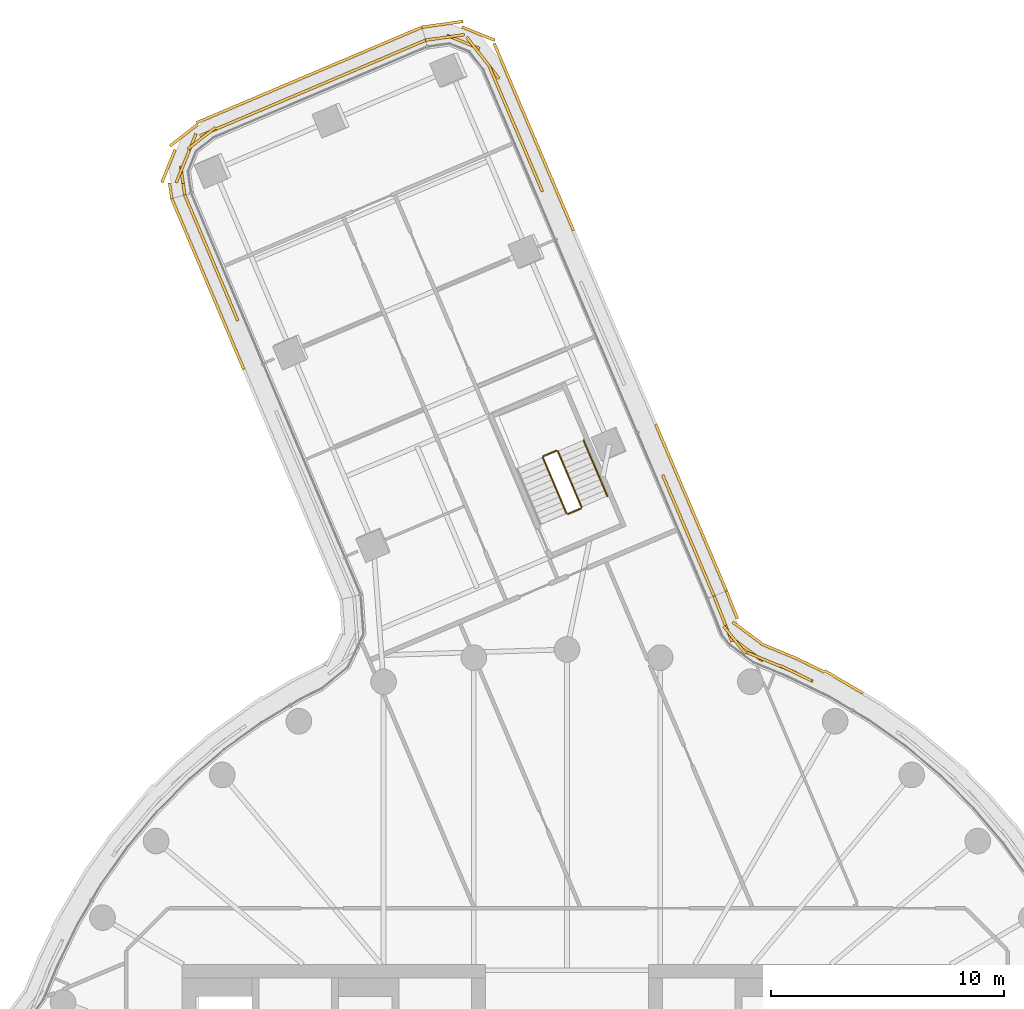
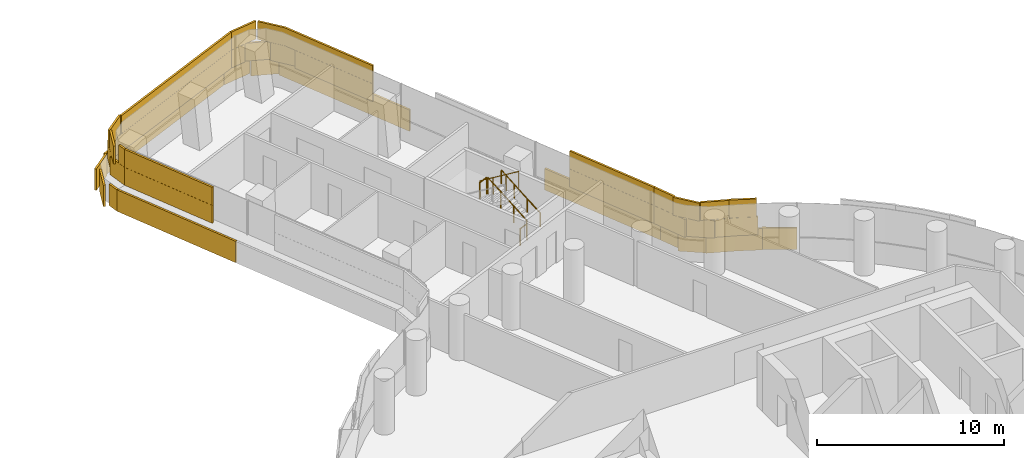
# One storey, part 34 of 35: 5 coverings, 5 railings.
"""IFC4 building model written with IfcOpenShell, lengths in metres."""

from ifc_helpers import new_model, si_unit, direction, frame, origin, origin_2d, place, context, subcontext, project, spatial, rectangle, circle, extrude, material, layer, layer_set, type_object, element, save


model = new_model("IFC4")

# Units and contexts
model_context = context("Model", 3, precision=1e-05, world=origin(), true_north=direction((0.0, 1.0)))
body_context = subcontext(model_context, "Body", "Model", "MODEL_VIEW")
ifc_project = project(units=[si_unit("LENGTHUNIT", "METRE"), si_unit("AREAUNIT", "SQUARE_METRE"), si_unit("VOLUMEUNIT", "CUBIC_METRE"), si_unit("PLANEANGLEUNIT", "RADIAN"), si_unit("MASSUNIT", "GRAM", prefix="KILO")], contexts=[model_context])

# Site, building, storey
site_placement = place(None, origin())
site = spatial("IfcSite", under=ifc_project, at=site_placement, CompositionType="ELEMENT")
building_placement = place(site_placement, origin())
building = spatial("IfcBuilding", under=site, at=building_placement, Name="Tamarind Cross Interchange Tower", CompositionType="ELEMENT")
storey_placement = place(building_placement, frame((0.0, 0.0, 117.25)))
storey = spatial("IfcBuildingStorey", under=building, at=storey_placement, Name="L28", CompositionType="ELEMENT", Elevation=117.25)

# Railings
ifc_material_1 = material(Name="Stair guard")
railing_type_1 = type_object("IfcRailingType", Name="Stair guard", PredefinedType="GUARDRAIL", material=ifc_material_1)
railing_1_placement = place(storey_placement, frame((0.623779296875, 29.10791015625, 0.17041015625)))
element("IfcRailing", 1, at=railing_1_placement, inside=storey, type_object=railing_type_1, Name="L28 ST4 stair guard 1", PredefinedType="GUARDRAIL", context=body_context, shape_type="SweptSolid", body=[
    extrude(circle(Radius=0.02392578125, at=origin_2d()), frame((0.0, 0.0, 1.076171875), z_axis=(-0.326526452463, 0.769905084162, 0.548294298003), x_axis=(-0.920624745135, -0.390448560819, 0.0)), (0.0, 0.0, 1.0), 3.10888671875),
    extrude(circle(Radius=0.02099609375, at=origin_2d()), origin(), (0.0, 0.0, 1.0), 1.052001953125),
    extrude(circle(Radius=0.02099609375, at=origin_2d()), frame((-0.33837890625, 0.7978515625, 0.568115234375)), (0.0, 0.0, 1.0), 1.052001953125),
    extrude(circle(Radius=0.02099609375, at=origin_2d()), frame((-0.6767578125, 1.595703125, 1.136474609375)), (0.0, 0.0, 1.0), 1.052001953125),
    extrude(circle(Radius=0.02099609375, at=origin_2d()), frame((-1.01513671875, 2.3935546875, 1.70458984375)), (0.0, 0.0, 1.0), 1.052001953125),
])
railing_2_placement = place(storey_placement, frame((-0.45703125, 31.528076171875, 1.875)))
element("IfcRailing", 2, at=railing_2_placement, inside=storey, type_object=railing_type_1, Name="L28 ST4 stair guard 2", PredefinedType="GUARDRAIL", context=body_context, shape_type="SweptSolid", body=[
    extrude(circle(Radius=0.02392578125, at=origin_2d()), frame((0.0, 0.0, 1.076171875), z_axis=(-0.920528568532, -0.390675254549, 0.0), x_axis=(0.390675254549, -0.920528568532, 0.0)), (0.0, 0.0, 1.0), 0.599853515625),
    extrude(circle(Radius=0.02099609375, at=origin_2d()), origin(), (0.0, 0.0, 1.0), 1.052001953125),
    extrude(circle(Radius=0.02099609375, at=origin_2d()), frame((-0.55224609375, -0.234375, 0.0)), (0.0, 0.0, 1.0), 1.052001953125),
])
railing_3_placement = place(storey_placement, frame((-1.035888671875, 31.228271484375, 2.04541015625)))
element("IfcRailing", 3, at=railing_3_placement, inside=storey, type_object=railing_type_1, Name="L28 ST4 stair guard 3", PredefinedType="GUARDRAIL", context=body_context, shape_type="SweptSolid", body=[
    extrude(circle(Radius=0.02392578125, at=origin_2d()), frame((0.0, 0.0, 1.076171875), z_axis=(0.326596606657, -0.769885340625, 0.548280237479), x_axis=(0.920590988888, 0.390528143899, 0.0)), (0.0, 0.0, 1.0), 3.10888671875),
    extrude(circle(Radius=0.02099609375, at=origin_2d()), origin(), (0.0, 0.0, 1.0), 1.052001953125),
    extrude(circle(Radius=0.02099609375, at=origin_2d()), frame((0.33837890625, -0.7978515625, 0.568115234375)), (0.0, 0.0, 1.0), 1.052001953125),
    extrude(circle(Radius=0.02099609375, at=origin_2d()), frame((0.677001953125, -1.595703125, 1.136474609375)), (0.0, 0.0, 1.0), 1.052001953125),
    extrude(circle(Radius=0.02099609375, at=origin_2d()), frame((1.015380859375, -2.3935546875, 1.70458984375)), (0.0, 0.0, 1.0), 1.052001953125),
])
railing_4_placement = place(storey_placement, frame((0.597412109375, 29.04248046875, 0.0)))
element("IfcRailing", 4, at=railing_4_placement, inside=storey, type_object=railing_type_1, Name="L28 ST4 stair guard 4", PredefinedType="GUARDRAIL", context=body_context, shape_type="SweptSolid", body=[
    extrude(circle(Radius=0.02392578125, at=origin_2d()), frame((0.0, 0.0, 1.076171875), z_axis=(-0.920590645784, -0.390528952697, 0.0), x_axis=(0.390528952697, -0.920590645784, 0.0)), (0.0, 0.0, 1.0), 0.60009765625),
    extrude(circle(Radius=0.02099609375, at=origin_2d()), origin(), (0.0, 0.0, 1.0), 1.052001953125),
    extrude(circle(Radius=0.02099609375, at=origin_2d()), frame((-0.552490234375, -0.234375, 0.0)), (0.0, 0.0, 1.0), 1.052001953125),
])
ifc_material_2 = material(Name="Stair handrail")
railing_type_2 = type_object("IfcRailingType", Name="Stair handrail", PredefinedType="HANDRAIL", material=ifc_material_2)
railing_5_placement = place(storey_placement, frame((1.728515625, 29.57666015625, 0.17041015625)))
element("IfcRailing", 5, at=railing_5_placement, inside=storey, type_object=railing_type_2, Name="L28 ST4 stair handrail 1", PredefinedType="HANDRAIL", context=body_context, shape_type="SweptSolid", body=[
    extrude(circle(Radius=0.02392578125, at=origin_2d()), frame((0.0, 0.0, 0.8759765625), z_axis=(-0.326526452463, 0.769905084162, 0.548294298003), x_axis=(-0.920624745135, -0.390448560819, 0.0)), (0.0, 0.0, 1.0), 3.10888671875),
    extrude(circle(Radius=0.02099609375, at=origin_2d()), origin(), (0.0, 0.0, 1.0), 0.851806640625),
    extrude(circle(Radius=0.02099609375, at=origin_2d()), frame((-0.33837890625, 0.7978515625, 0.568115234375)), (0.0, 0.0, 1.0), 0.851806640625),
    extrude(circle(Radius=0.02099609375, at=origin_2d()), frame((-0.6767578125, 1.595703125, 1.136474609375)), (0.0, 0.0, 1.0), 0.851806640625),
    extrude(circle(Radius=0.02099609375, at=origin_2d()), frame((-1.01513671875, 2.3935546875, 1.70458984375)), (0.0, 0.0, 1.0), 0.851806640625),
])

# Coverings
ifc_material_3 = material(Name="Terracotta", Category="masonry")
ifc_layer = layer(ifc_material_3, 0.1201171875)
ifc_layer_set = layer_set([ifc_layer], Name="Terracotta")
covering_type = type_object("IfcCoveringType", Name="Terracotta baguette screen unit", PredefinedType="MOLDING", material=ifc_layer_set)
covering_1_placement = place(storey_placement, origin())
element("IfcCovering", 6, at=covering_1_placement, inside=storey, type_object=covering_type, Name="SCR-L28-10-01", PredefinedType="MOLDING", context=body_context, shape_type="SweptSolid", body=[
    extrude(rectangle(XDim=0.824462890625, YDim=0.1201171875, at=origin_2d()), frame((10.176513671875, 21.810546875, 1.404052734375), z_axis=(0.0, 0.0, 1.0), x_axis=(-0.900272776334, 0.435326231914, 0.0)), (0.0, 0.0, 1.0), 1.1669921875),
    extrude(rectangle(XDim=1.52001953125, YDim=0.1201171875, at=origin_2d()), frame((9.123291015625, 22.288818359375, 1.404052734375), z_axis=(0.0, 0.0, 1.0), x_axis=(-0.92336203515, 0.383930399999, 0.0)), (0.0, 0.0, 1.0), 1.1669921875),
    extrude(rectangle(XDim=1.52001953125, YDim=0.1201171875, at=origin_2d()), frame((7.789306640625, 22.954833984375, 1.404052734375), z_axis=(0.0, 0.0, 1.0), x_axis=(-0.803956075829, 0.594688681697, 0.0)), (0.0, 0.0, 1.0), 1.1669921875),
    extrude(rectangle(XDim=1.52001953125, YDim=0.1201171875, at=origin_2d()), frame((6.800048828125, 24.037109375, 1.404052734375), z_axis=(0.0, 0.0, 1.0), x_axis=(-0.366900110784, 0.930260344584, 0.0)), (0.0, 0.0, 1.0), 1.1669921875),
    extrude(rectangle(XDim=0.610595703125, YDim=0.1201171875, at=origin_2d()), frame((6.41455078125, 25.01416015625, 1.404052734375), z_axis=(0.0, 0.0, 1.0), x_axis=(-0.366900110784, 0.930260344584, 0.0)), (0.0, 0.0, 1.0), 1.1669921875),
    extrude(rectangle(XDim=1.52001953125, YDim=0.1201171875, at=origin_2d()), frame((9.809814453125, 21.98779296875, 2.5791015625), z_axis=(0.0, 0.0, 1.0), x_axis=(-0.900272776334, 0.435326231914, 0.0)), (0.0, 0.0, 1.0), 1.1669921875),
    extrude(rectangle(XDim=1.52001953125, YDim=0.1201171875, at=origin_2d()), frame((8.4306640625, 22.57666015625, 2.5791015625), z_axis=(0.0, 0.0, 1.0), x_axis=(-0.92336203515, 0.383930399999, 0.0)), (0.0, 0.0, 1.0), 1.1669921875),
    extrude(rectangle(XDim=1.52001953125, YDim=0.1201171875, at=origin_2d()), frame((7.191650390625, 23.406494140625, 2.5791015625), z_axis=(0.0, 0.0, 1.0), x_axis=(-0.620257011752, 0.784398648248, 0.0)), (0.0, 0.0, 1.0), 1.1669921875),
    extrude(rectangle(XDim=1.360595703125, YDim=0.1201171875, at=origin_2d()), frame((6.55224609375, 24.665283203125, 2.5791015625), z_axis=(0.0, 0.0, 1.0), x_axis=(-0.366900110784, 0.930260344584, 0.0)), (0.0, 0.0, 1.0), 1.1669921875),
    extrude(rectangle(XDim=0.382080078125, YDim=0.1201171875, at=origin_2d()), frame((12.5185546875, 21.222412109375, 0.00390625), z_axis=(0.0, 0.0, 1.0), x_axis=(-0.861248933065, 0.508183308752, 0.0)), (0.0, 0.0, 1.0), 1.39208984375),
    extrude(rectangle(XDim=1.52001953125, YDim=0.1201171875, at=origin_2d()), frame((11.716796875, 21.695556640625, 0.00390625), z_axis=(0.0, 0.0, 1.0), x_axis=(-0.861248933065, 0.508183308752, 0.0)), (0.0, 0.0, 1.0), 1.39208984375),
    extrude(rectangle(XDim=1.52001953125, YDim=0.1201171875, at=origin_2d()), frame((10.36962890625, 22.354736328125, 0.00390625), z_axis=(0.0, 0.0, 1.0), x_axis=(-0.900272776334, 0.435326231914, 0.0)), (0.0, 0.0, 1.0), 1.39208984375),
    extrude(rectangle(XDim=1.52001953125, YDim=0.1201171875, at=origin_2d()), frame((8.998779296875, 22.962158203125, 0.00390625), z_axis=(0.0, 0.0, 1.0), x_axis=(-0.92336203515, 0.383930399999, 0.0)), (0.0, 0.0, 1.0), 1.39208984375),
    extrude(rectangle(XDim=1.52001953125, YDim=0.1201171875, at=origin_2d()), frame((7.7177734375, 23.7216796875, 0.00390625), z_axis=(0.0, 0.0, 1.0), x_axis=(-0.803956075829, 0.594688681697, 0.0)), (0.0, 0.0, 1.0), 1.39208984375),
    extrude(rectangle(XDim=1.281982421875, YDim=0.1201171875, at=origin_2d()), frame((7.071044921875, 24.91455078125, 0.00390625), z_axis=(0.0, 0.0, 1.0), x_axis=(-0.366900110784, 0.930260344584, 0.0)), (0.0, 0.0, 1.0), 1.39208984375),
])
covering_2_placement = place(storey_placement, origin())
element("IfcCovering", 7, at=covering_2_placement, inside=storey, type_object=covering_type, Name="SCR-L28-11-00", PredefinedType="MOLDING", context=body_context, shape_type="SweptSolid", body=[
    extrude(rectangle(XDim=1.510009765625, YDim=0.1201171875, at=origin_2d()), frame((6.01171875, 25.98388671875, 1.404052734375), z_axis=(0.0, 0.0, 1.0), x_axis=(-0.390499768049, 0.920603025823, 0.0)), (0.0, 0.0, 1.0), 1.1669921875),
    extrude(rectangle(XDim=1.52001953125, YDim=0.1201171875, at=origin_2d()), frame((5.42578125, 27.36474609375, 1.404052734375), z_axis=(0.0, 0.0, 1.0), x_axis=(-0.390499768049, 0.920603025823, 0.0)), (0.0, 0.0, 1.0), 1.1669921875),
    extrude(rectangle(XDim=1.52001953125, YDim=0.1201171875, at=origin_2d()), frame((4.840087890625, 28.74560546875, 1.404052734375), z_axis=(0.0, 0.0, 1.0), x_axis=(-0.390499768049, 0.920603025823, 0.0)), (0.0, 0.0, 1.0), 1.1669921875),
    extrude(rectangle(XDim=1.142822265625, YDim=0.1201171875, at=origin_2d()), frame((4.325927734375, 29.95751953125, 1.404052734375), z_axis=(0.0, 0.0, 1.0), x_axis=(-0.390499768049, 0.920603025823, 0.0)), (0.0, 0.0, 1.0), 1.1669921875),
    extrude(rectangle(XDim=0.760009765625, YDim=0.1201171875, at=origin_2d()), frame((6.157958984375, 25.638671875, 2.5791015625), z_axis=(0.0, 0.0, 1.0), x_axis=(-0.390499768049, 0.920603025823, 0.0)), (0.0, 0.0, 1.0), 1.1669921875),
    extrude(rectangle(XDim=1.52001953125, YDim=0.1201171875, at=origin_2d()), frame((5.71875, 26.67431640625, 2.5791015625), z_axis=(0.0, 0.0, 1.0), x_axis=(-0.390499768049, 0.920603025823, 0.0)), (0.0, 0.0, 1.0), 1.1669921875),
    extrude(rectangle(XDim=1.52001953125, YDim=0.1201171875, at=origin_2d()), frame((5.133056640625, 28.05517578125, 2.5791015625), z_axis=(0.0, 0.0, 1.0), x_axis=(-0.390499768049, 0.920603025823, 0.0)), (0.0, 0.0, 1.0), 1.1669921875),
    extrude(rectangle(XDim=1.52001953125, YDim=0.1201171875, at=origin_2d()), frame((4.547119140625, 29.43603515625, 2.5791015625), z_axis=(0.0, 0.0, 1.0), x_axis=(-0.390499768049, 0.920603025823, 0.0)), (0.0, 0.0, 1.0), 1.1669921875),
    extrude(rectangle(XDim=0.392822265625, YDim=0.1201171875, at=origin_2d()), frame((4.1796875, 30.302734375, 2.5791015625), z_axis=(0.0, 0.0, 1.0), x_axis=(-0.390499768049, 0.920603025823, 0.0)), (0.0, 0.0, 1.0), 1.1669921875),
    extrude(rectangle(XDim=1.510009765625, YDim=0.1201171875, at=origin_2d()), frame((6.541015625, 26.205810546875, 0.00390625), z_axis=(0.0, 0.0, 1.0), x_axis=(-0.390499768049, 0.920603025823, 0.0)), (0.0, 0.0, 1.0), 1.39208984375),
    extrude(rectangle(XDim=1.52001953125, YDim=0.1201171875, at=origin_2d()), frame((5.95703125, 27.582275390625, 0.00390625), z_axis=(0.0, 0.0, 1.0), x_axis=(-0.390499768049, 0.920603025823, 0.0)), (0.0, 0.0, 1.0), 1.39208984375),
    extrude(rectangle(XDim=1.52001953125, YDim=0.1201171875, at=origin_2d()), frame((5.371337890625, 28.963134765625, 0.00390625), z_axis=(0.0, 0.0, 1.0), x_axis=(-0.390499768049, 0.920603025823, 0.0)), (0.0, 0.0, 1.0), 1.39208984375),
    extrude(rectangle(XDim=1.52001953125, YDim=0.1201171875, at=origin_2d()), frame((4.78564453125, 30.343994140625, 0.00390625), z_axis=(0.0, 0.0, 1.0), x_axis=(-0.390499768049, 0.920603025823, 0.0)), (0.0, 0.0, 1.0), 1.39208984375),
    extrude(rectangle(XDim=1.52001953125, YDim=0.1201171875, at=origin_2d()), frame((4.199951171875, 31.724853515625, 0.00390625), z_axis=(0.0, 0.0, 1.0), x_axis=(-0.390499768049, 0.920603025823, 0.0)), (0.0, 0.0, 1.0), 1.39208984375),
    extrude(rectangle(XDim=0.268798828125, YDim=0.1201171875, at=origin_2d()), frame((3.8583984375, 32.52978515625, 0.00390625), z_axis=(0.0, 0.0, 1.0), x_axis=(-0.390499768049, 0.920603025823, 0.0)), (0.0, 0.0, 1.0), 1.39208984375),
])
covering_3_placement = place(storey_placement, origin())
element("IfcCovering", 8, at=covering_3_placement, inside=storey, type_object=covering_type, Name="SCR-L28-11-02", PredefinedType="MOLDING", context=body_context, shape_type="SweptSolid", body=[
    extrude(rectangle(XDim=0.67236328125, YDim=0.1201171875, at=origin_2d()), frame((-1.180908203125, 42.940185546875, 1.404052734375), z_axis=(0.0, 0.0, 1.0), x_axis=(-0.390499768049, 0.920603025823, 0.0)), (0.0, 0.0, 1.0), 1.1669921875),
    extrude(rectangle(XDim=1.52001953125, YDim=0.1201171875, at=origin_2d()), frame((-1.60302734375, 43.935546875, 1.404052734375), z_axis=(0.0, 0.0, 1.0), x_axis=(-0.390499768049, 0.920603025823, 0.0)), (0.0, 0.0, 1.0), 1.1669921875),
    extrude(rectangle(XDim=1.52001953125, YDim=0.1201171875, at=origin_2d()), frame((-2.18896484375, 45.31640625, 1.404052734375), z_axis=(0.0, 0.0, 1.0), x_axis=(-0.390499768049, 0.920603025823, 0.0)), (0.0, 0.0, 1.0), 1.1669921875),
    extrude(rectangle(XDim=1.52001953125, YDim=0.1201171875, at=origin_2d()), frame((-2.774658203125, 46.697509765625, 1.404052734375), z_axis=(0.0, 0.0, 1.0), x_axis=(-0.390499768049, 0.920603025823, 0.0)), (0.0, 0.0, 1.0), 1.1669921875),
    extrude(rectangle(XDim=1.52001953125, YDim=0.1201171875, at=origin_2d()), frame((-3.37255859375, 48.071044921875, 1.404052734375), z_axis=(0.0, 0.0, 1.0), x_axis=(-0.61546340718, 0.788165461323, 0.0)), (0.0, 0.0, 1.0), 1.1669921875),
    extrude(rectangle(XDim=1.52001953125, YDim=0.1201171875, at=origin_2d()), frame((-4.4462890625, 49.0537109375, 1.404052734375), z_axis=(0.0, 0.0, 1.0), x_axis=(-0.927089676379, 0.374839608301, 0.0)), (0.0, 0.0, 1.0), 1.1669921875),
    extrude(rectangle(XDim=0.931640625, YDim=0.1201171875, at=origin_2d()), frame((-5.607421875, 49.19384765625, 1.404052734375), z_axis=(0.0, 0.0, 1.0), x_axis=(-0.990303015481, -0.138924215056, 0.0)), (0.0, 0.0, 1.0), 1.1669921875),
    extrude(rectangle(XDim=1.42236328125, YDim=0.1201171875, at=origin_2d()), frame((-1.327392578125, 43.285400390625, 2.5791015625), z_axis=(0.0, 0.0, 1.0), x_axis=(-0.390499768049, 0.920603025823, 0.0)), (0.0, 0.0, 1.0), 1.1669921875),
    extrude(rectangle(XDim=1.52001953125, YDim=0.1201171875, at=origin_2d()), frame((-1.89599609375, 44.6259765625, 2.5791015625), z_axis=(0.0, 0.0, 1.0), x_axis=(-0.390499768049, 0.920603025823, 0.0)), (0.0, 0.0, 1.0), 1.1669921875),
    extrude(rectangle(XDim=1.52001953125, YDim=0.1201171875, at=origin_2d()), frame((-2.481689453125, 46.007080078125, 2.5791015625), z_axis=(0.0, 0.0, 1.0), x_axis=(-0.390499768049, 0.920603025823, 0.0)), (0.0, 0.0, 1.0), 1.1669921875),
    extrude(rectangle(XDim=1.52001953125, YDim=0.1201171875, at=origin_2d()), frame((-3.067626953125, 47.387939453125, 2.5791015625), z_axis=(0.0, 0.0, 1.0), x_axis=(-0.390499768049, 0.920603025823, 0.0)), (0.0, 0.0, 1.0), 1.1669921875),
    extrude(rectangle(XDim=1.52001953125, YDim=0.1201171875, at=origin_2d()), frame((-3.834228515625, 48.662353515625, 2.5791015625), z_axis=(0.0, 0.0, 1.0), x_axis=(-0.61546340718, 0.788165461323, 0.0)), (0.0, 0.0, 1.0), 1.1669921875),
    extrude(rectangle(XDim=1.52001953125, YDim=0.1201171875, at=origin_2d()), frame((-5.151123046875, 49.258056640625, 2.5791015625), z_axis=(0.0, 0.0, 1.0), x_axis=(-0.990303015481, -0.138924215056, 0.0)), (0.0, 0.0, 1.0), 1.1669921875),
    extrude(rectangle(XDim=0.181640625, YDim=0.1201171875, at=origin_2d()), frame((-5.978759765625, 49.141845703125, 2.5791015625), z_axis=(0.0, 0.0, 1.0), x_axis=(-0.990303015481, -0.138924215056, 0.0)), (0.0, 0.0, 1.0), 1.1669921875),
    extrude(rectangle(XDim=1.21630859375, YDim=0.1201171875, at=origin_2d()), frame((0.040283203125, 41.531005859375, 0.00390625), z_axis=(0.0, 0.0, 1.0), x_axis=(-0.390499768049, 0.920603025823, 0.0)), (0.0, 0.0, 1.0), 1.39208984375),
    extrude(rectangle(XDim=1.52001953125, YDim=0.1201171875, at=origin_2d()), frame((-0.486083984375, 42.772216796875, 0.00390625), z_axis=(0.0, 0.0, 1.0), x_axis=(-0.390499768049, 0.920603025823, 0.0)), (0.0, 0.0, 1.0), 1.39208984375),
    extrude(rectangle(XDim=1.52001953125, YDim=0.1201171875, at=origin_2d()), frame((-1.07177734375, 44.153076171875, 0.00390625), z_axis=(0.0, 0.0, 1.0), x_axis=(-0.390499768049, 0.920603025823, 0.0)), (0.0, 0.0, 1.0), 1.39208984375),
    extrude(rectangle(XDim=1.52001953125, YDim=0.1201171875, at=origin_2d()), frame((-1.65771484375, 45.533935546875, 0.00390625), z_axis=(0.0, 0.0, 1.0), x_axis=(-0.390499768049, 0.920603025823, 0.0)), (0.0, 0.0, 1.0), 1.39208984375),
    extrude(rectangle(XDim=1.52001953125, YDim=0.1201171875, at=origin_2d()), frame((-2.243408203125, 46.914794921875, 0.00390625), z_axis=(0.0, 0.0, 1.0), x_axis=(-0.390499768049, 0.920603025823, 0.0)), (0.0, 0.0, 1.0), 1.39208984375),
    extrude(rectangle(XDim=1.52001953125, YDim=0.1201171875, at=origin_2d()), frame((-2.8291015625, 48.295654296875, 0.00390625), z_axis=(0.0, 0.0, 1.0), x_axis=(-0.390499768049, 0.920603025823, 0.0)), (0.0, 0.0, 1.0), 1.39208984375),
    extrude(rectangle(XDim=1.52001953125, YDim=0.1201171875, at=origin_2d()), frame((-3.799072265625, 49.4111328125, 0.00390625), z_axis=(0.0, 0.0, 1.0), x_axis=(-0.927089676379, 0.374839608301, 0.0)), (0.0, 0.0, 1.0), 1.39208984375),
    extrude(rectangle(XDim=1.52001953125, YDim=0.1201171875, at=origin_2d()), frame((-5.20751953125, 49.82958984375, 0.00390625), z_axis=(0.0, 0.0, 1.0), x_axis=(-0.990303015481, -0.138924215056, 0.0)), (0.0, 0.0, 1.0), 1.39208984375),
    extrude(rectangle(XDim=0.28076171875, YDim=0.1201171875, at=origin_2d()), frame((-6.079345703125, 49.707275390625, 0.00390625), z_axis=(0.0, 0.0, 1.0), x_axis=(-0.990303015481, -0.138924215056, 0.0)), (0.0, 0.0, 1.0), 1.39208984375),
])
covering_4_placement = place(storey_placement, origin())
element("IfcCovering", 9, at=covering_4_placement, inside=storey, type_object=covering_type, Name="SCR-L28-12-00", PredefinedType="MOLDING", context=body_context, shape_type="SweptSolid", body=[
    extrude(rectangle(XDim=1.510009765625, YDim=0.1201171875, at=origin_2d()), frame((-6.75439453125, 48.8369140625, 1.404052734375), z_axis=(0.0, 0.0, 1.0), x_axis=(-0.920603025823, -0.390499768049, 0.0)), (0.0, 0.0, 1.0), 1.1669921875),
    extrude(rectangle(XDim=1.52001953125, YDim=0.1201171875, at=origin_2d()), frame((-8.13525390625, 48.251220703125, 1.404052734375), z_axis=(0.0, 0.0, 1.0), x_axis=(-0.920603025823, -0.390499768049, 0.0)), (0.0, 0.0, 1.0), 1.1669921875),
    extrude(rectangle(XDim=1.52001953125, YDim=0.1201171875, at=origin_2d()), frame((-9.51611328125, 47.66552734375, 1.404052734375), z_axis=(0.0, 0.0, 1.0), x_axis=(-0.920603025823, -0.390499768049, 0.0)), (0.0, 0.0, 1.0), 1.1669921875),
    extrude(rectangle(XDim=1.52001953125, YDim=0.1201171875, at=origin_2d()), frame((-10.89697265625, 47.079833984375, 1.404052734375), z_axis=(0.0, 0.0, 1.0), x_axis=(-0.920603025823, -0.390499768049, 0.0)), (0.0, 0.0, 1.0), 1.1669921875),
    extrude(rectangle(XDim=1.52001953125, YDim=0.1201171875, at=origin_2d()), frame((-12.27783203125, 46.494140625, 1.404052734375), z_axis=(0.0, 0.0, 1.0), x_axis=(-0.920603025823, -0.390499768049, 0.0)), (0.0, 0.0, 1.0), 1.1669921875),
    extrude(rectangle(XDim=1.52001953125, YDim=0.1201171875, at=origin_2d()), frame((-13.65869140625, 45.908203125, 1.404052734375), z_axis=(0.0, 0.0, 1.0), x_axis=(-0.920603025823, -0.390499768049, 0.0)), (0.0, 0.0, 1.0), 1.1669921875),
    extrude(rectangle(XDim=1.52001953125, YDim=0.1201171875, at=origin_2d()), frame((-15.039794921875, 45.322509765625, 1.404052734375), z_axis=(0.0, 0.0, 1.0), x_axis=(-0.920603025823, -0.390499768049, 0.0)), (0.0, 0.0, 1.0), 1.1669921875),
    extrude(rectangle(XDim=1.52001953125, YDim=0.1201171875, at=origin_2d()), frame((-16.194091796875, 44.41259765625, 1.404052734375), z_axis=(0.0, 0.0, 1.0), x_axis=(-0.374839608301, -0.927089676379, 0.0)), (0.0, 0.0, 1.0), 1.1669921875),
    extrude(rectangle(XDim=1.259521484375, YDim=0.1201171875, at=origin_2d()), frame((-16.480224609375, 43.10986328125, 1.404052734375), z_axis=(0.0, 0.0, 1.0), x_axis=(0.138924215056, -0.990303015481, 0.0)), (0.0, 0.0, 1.0), 1.1669921875),
    extrude(rectangle(XDim=0.760009765625, YDim=0.1201171875, at=origin_2d()), frame((-6.408935546875, 48.9833984375, 2.5791015625), z_axis=(0.0, 0.0, 1.0), x_axis=(-0.920603025823, -0.390499768049, 0.0)), (0.0, 0.0, 1.0), 1.1669921875),
    extrude(rectangle(XDim=1.52001953125, YDim=0.1201171875, at=origin_2d()), frame((-7.44482421875, 48.544189453125, 2.5791015625), z_axis=(0.0, 0.0, 1.0), x_axis=(-0.920603025823, -0.390499768049, 0.0)), (0.0, 0.0, 1.0), 1.1669921875),
    extrude(rectangle(XDim=1.52001953125, YDim=0.1201171875, at=origin_2d()), frame((-8.82568359375, 47.95849609375, 2.5791015625), z_axis=(0.0, 0.0, 1.0), x_axis=(-0.920603025823, -0.390499768049, 0.0)), (0.0, 0.0, 1.0), 1.1669921875),
    extrude(rectangle(XDim=1.52001953125, YDim=0.1201171875, at=origin_2d()), frame((-10.20654296875, 47.37255859375, 2.5791015625), z_axis=(0.0, 0.0, 1.0), x_axis=(-0.920603025823, -0.390499768049, 0.0)), (0.0, 0.0, 1.0), 1.1669921875),
    extrude(rectangle(XDim=1.52001953125, YDim=0.1201171875, at=origin_2d()), frame((-11.58740234375, 46.786865234375, 2.5791015625), z_axis=(0.0, 0.0, 1.0), x_axis=(-0.920603025823, -0.390499768049, 0.0)), (0.0, 0.0, 1.0), 1.1669921875),
    extrude(rectangle(XDim=1.52001953125, YDim=0.1201171875, at=origin_2d()), frame((-12.96826171875, 46.201171875, 2.5791015625), z_axis=(0.0, 0.0, 1.0), x_axis=(-0.920603025823, -0.390499768049, 0.0)), (0.0, 0.0, 1.0), 1.1669921875),
    extrude(rectangle(XDim=1.52001953125, YDim=0.1201171875, at=origin_2d()), frame((-14.349365234375, 45.615478515625, 2.5791015625), z_axis=(0.0, 0.0, 1.0), x_axis=(-0.920603025823, -0.390499768049, 0.0)), (0.0, 0.0, 1.0), 1.1669921875),
    extrude(rectangle(XDim=1.52001953125, YDim=0.1201171875, at=origin_2d()), frame((-15.6669921875, 44.922607421875, 2.5791015625), z_axis=(0.0, 0.0, 1.0), x_axis=(-0.788165461323, -0.61546340718, 0.0)), (0.0, 0.0, 1.0), 1.1669921875),
    extrude(rectangle(XDim=1.52001953125, YDim=0.1201171875, at=origin_2d()), frame((-16.475341796875, 43.71728515625, 2.5791015625), z_axis=(0.0, 0.0, 1.0), x_axis=(-0.374839608301, -0.927089676379, 0.0)), (0.0, 0.0, 1.0), 1.1669921875),
    extrude(rectangle(XDim=0.509521484375, YDim=0.1201171875, at=origin_2d()), frame((-16.427978515625, 42.738525390625, 2.5791015625), z_axis=(0.0, 0.0, 1.0), x_axis=(0.138924215056, -0.990303015481, 0.0)), (0.0, 0.0, 1.0), 1.1669921875),
    extrude(rectangle(XDim=1.510009765625, YDim=0.1201171875, at=origin_2d()), frame((-6.91357421875, 49.39306640625, 0.00390625), z_axis=(0.0, 0.0, 1.0), x_axis=(-0.920603025823, -0.390499768049, 0.0)), (0.0, 0.0, 1.0), 1.39208984375),
    extrude(rectangle(XDim=1.52001953125, YDim=0.1201171875, at=origin_2d()), frame((-8.289794921875, 48.809326171875, 0.00390625), z_axis=(0.0, 0.0, 1.0), x_axis=(-0.920603025823, -0.390499768049, 0.0)), (0.0, 0.0, 1.0), 1.39208984375),
    extrude(rectangle(XDim=1.52001953125, YDim=0.1201171875, at=origin_2d()), frame((-9.670654296875, 48.223388671875, 0.00390625), z_axis=(0.0, 0.0, 1.0), x_axis=(-0.920603025823, -0.390499768049, 0.0)), (0.0, 0.0, 1.0), 1.39208984375),
    extrude(rectangle(XDim=1.52001953125, YDim=0.1201171875, at=origin_2d()), frame((-11.051513671875, 47.6376953125, 0.00390625), z_axis=(0.0, 0.0, 1.0), x_axis=(-0.920603025823, -0.390499768049, 0.0)), (0.0, 0.0, 1.0), 1.39208984375),
    extrude(rectangle(XDim=1.52001953125, YDim=0.1201171875, at=origin_2d()), frame((-12.432373046875, 47.052001953125, 0.00390625), z_axis=(0.0, 0.0, 1.0), x_axis=(-0.920603025823, -0.390499768049, 0.0)), (0.0, 0.0, 1.0), 1.39208984375),
    extrude(rectangle(XDim=1.52001953125, YDim=0.1201171875, at=origin_2d()), frame((-13.8134765625, 46.46630859375, 0.00390625), z_axis=(0.0, 0.0, 1.0), x_axis=(-0.920603025823, -0.390499768049, 0.0)), (0.0, 0.0, 1.0), 1.39208984375),
    extrude(rectangle(XDim=1.52001953125, YDim=0.1201171875, at=origin_2d()), frame((-15.1943359375, 45.88037109375, 0.00390625), z_axis=(0.0, 0.0, 1.0), x_axis=(-0.920603025823, -0.390499768049, 0.0)), (0.0, 0.0, 1.0), 1.39208984375),
    extrude(rectangle(XDim=1.52001953125, YDim=0.1201171875, at=origin_2d()), frame((-16.432861328125, 45.052734375, 0.00390625), z_axis=(0.0, 0.0, 1.0), x_axis=(-0.788165461323, -0.61546340718, 0.0)), (0.0, 0.0, 1.0), 1.39208984375),
    extrude(rectangle(XDim=1.52001953125, YDim=0.1201171875, at=origin_2d()), frame((-17.088134765625, 43.732421875, 0.00390625), z_axis=(0.0, 0.0, 1.0), x_axis=(-0.374839608301, -0.927089676379, 0.0)), (0.0, 0.0, 1.0), 1.39208984375),
    extrude(rectangle(XDim=0.676513671875, YDim=0.1201171875, at=origin_2d()), frame((-16.998291015625, 42.671875, 0.00390625), z_axis=(0.0, 0.0, 1.0), x_axis=(0.138924215056, -0.990303015481, 0.0)), (0.0, 0.0, 1.0), 1.39208984375),
])
covering_5_placement = place(storey_placement, origin())
element("IfcCovering", 10, at=covering_5_placement, inside=storey, type_object=covering_type, Name="SCR-L28-13-00", PredefinedType="MOLDING", context=body_context, shape_type="SweptSolid", body=[
    extrude(rectangle(XDim=1.510009765625, YDim=0.1201171875, at=origin_2d()), frame((-16.1015625, 41.800048828125, 1.404052734375), z_axis=(0.0, 0.0, 1.0), x_axis=(0.388938701154, -0.921263635853, 0.0)), (0.0, 0.0, 1.0), 1.1669921875),
    extrude(rectangle(XDim=1.52001953125, YDim=0.1201171875, at=origin_2d()), frame((-15.518310546875, 40.418212890625, 1.404052734375), z_axis=(0.0, 0.0, 1.0), x_axis=(0.388938701154, -0.921263635853, 0.0)), (0.0, 0.0, 1.0), 1.1669921875),
    extrude(rectangle(XDim=1.52001953125, YDim=0.1201171875, at=origin_2d()), frame((-14.934814453125, 39.036376953125, 1.404052734375), z_axis=(0.0, 0.0, 1.0), x_axis=(0.388938701154, -0.921263635853, 0.0)), (0.0, 0.0, 1.0), 1.1669921875),
    extrude(rectangle(XDim=1.362548828125, YDim=0.1201171875, at=origin_2d()), frame((-14.380126953125, 37.722412109375, 1.404052734375), z_axis=(0.0, 0.0, 1.0), x_axis=(0.388938701154, -0.921263635853, 0.0)), (0.0, 0.0, 1.0), 1.1669921875),
    extrude(rectangle(XDim=0.760009765625, YDim=0.1201171875, at=origin_2d()), frame((-16.24755859375, 42.1455078125, 2.5791015625), z_axis=(0.0, 0.0, 1.0), x_axis=(0.388938701154, -0.921263635853, 0.0)), (0.0, 0.0, 1.0), 1.1669921875),
    extrude(rectangle(XDim=1.52001953125, YDim=0.1201171875, at=origin_2d()), frame((-15.809814453125, 41.109130859375, 2.5791015625), z_axis=(0.0, 0.0, 1.0), x_axis=(0.388938701154, -0.921263635853, 0.0)), (0.0, 0.0, 1.0), 1.1669921875),
    extrude(rectangle(XDim=1.52001953125, YDim=0.1201171875, at=origin_2d()), frame((-15.2265625, 39.727294921875, 2.5791015625), z_axis=(0.0, 0.0, 1.0), x_axis=(0.388938701154, -0.921263635853, 0.0)), (0.0, 0.0, 1.0), 1.1669921875),
    extrude(rectangle(XDim=1.52001953125, YDim=0.1201171875, at=origin_2d()), frame((-14.64306640625, 38.345458984375, 2.5791015625), z_axis=(0.0, 0.0, 1.0), x_axis=(0.388938701154, -0.921263635853, 0.0)), (0.0, 0.0, 1.0), 1.1669921875),
    extrude(rectangle(XDim=0.612548828125, YDim=0.1201171875, at=origin_2d()), frame((-14.234130859375, 37.376953125, 2.5791015625), z_axis=(0.0, 0.0, 1.0), x_axis=(0.388938701154, -0.921263635853, 0.0)), (0.0, 0.0, 1.0), 1.1669921875),
    extrude(rectangle(XDim=1.510009765625, YDim=0.1201171875, at=origin_2d()), frame((-16.65771484375, 41.641357421875, 0.00390625), z_axis=(0.0, 0.0, 1.0), x_axis=(0.388938701154, -0.921263635853, 0.0)), (0.0, 0.0, 1.0), 1.39208984375),
    extrude(rectangle(XDim=1.52001953125, YDim=0.1201171875, at=origin_2d()), frame((-16.076171875, 40.26416015625, 0.00390625), z_axis=(0.0, 0.0, 1.0), x_axis=(0.388938701154, -0.921263635853, 0.0)), (0.0, 0.0, 1.0), 1.39208984375),
    extrude(rectangle(XDim=1.52001953125, YDim=0.1201171875, at=origin_2d()), frame((-15.492919921875, 38.88232421875, 0.00390625), z_axis=(0.0, 0.0, 1.0), x_axis=(0.388938701154, -0.921263635853, 0.0)), (0.0, 0.0, 1.0), 1.39208984375),
    extrude(rectangle(XDim=1.52001953125, YDim=0.1201171875, at=origin_2d()), frame((-14.909423828125, 37.500244140625, 0.00390625), z_axis=(0.0, 0.0, 1.0), x_axis=(0.388938701154, -0.921263635853, 0.0)), (0.0, 0.0, 1.0), 1.39208984375),
    extrude(rectangle(XDim=1.52001953125, YDim=0.1201171875, at=origin_2d()), frame((-14.325927734375, 36.118408203125, 0.00390625), z_axis=(0.0, 0.0, 1.0), x_axis=(0.388938701154, -0.921263635853, 0.0)), (0.0, 0.0, 1.0), 1.39208984375),
    extrude(rectangle(XDim=0.453857421875, YDim=0.1201171875, at=origin_2d()), frame((-13.949951171875, 35.2275390625, 0.00390625), z_axis=(0.0, 0.0, 1.0), x_axis=(0.388938701154, -0.921263635853, 0.0)), (0.0, 0.0, 1.0), 1.39208984375),
])

save(model, "model.ifc")
